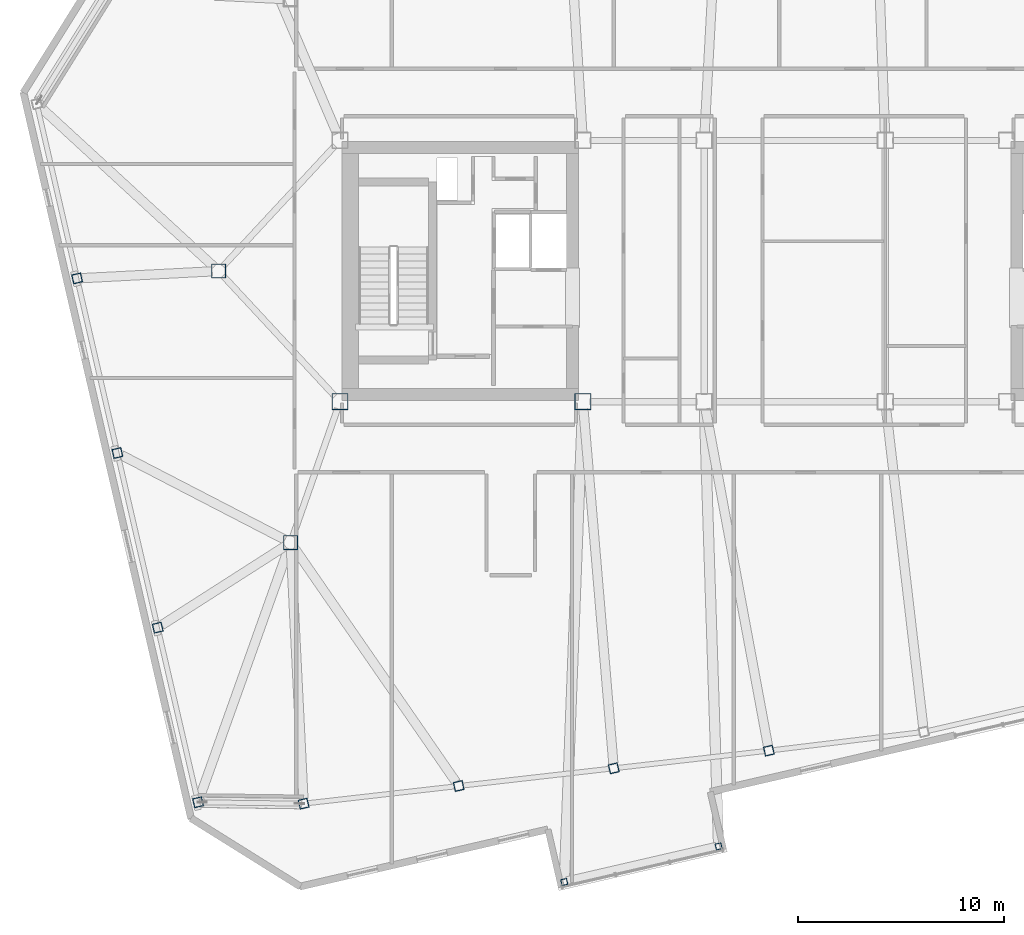
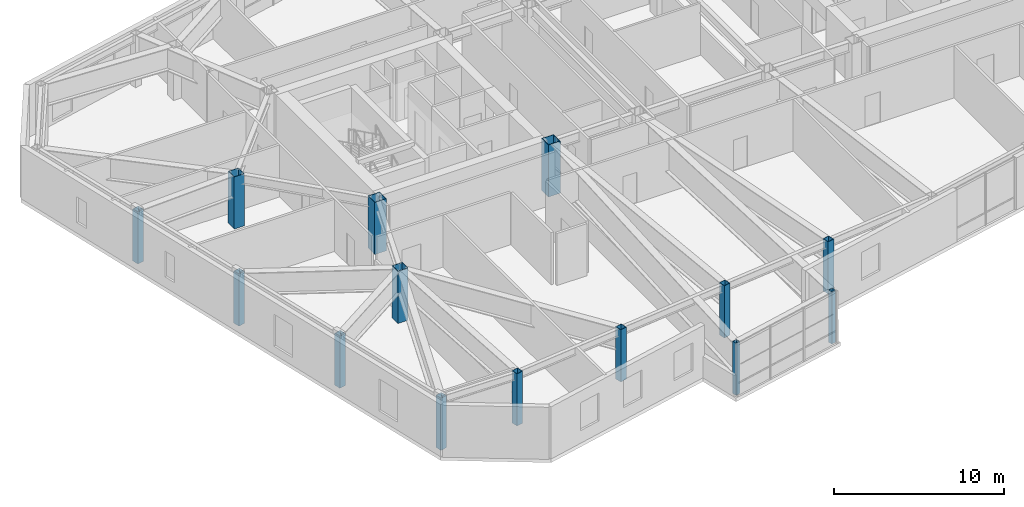
# One storey, part 1 of 23: 14 columns.
"""IFC4 building model written with IfcOpenShell, lengths in metres."""

from ifc_helpers import new_model, si_unit, direction, frame, origin, origin_2d, place, context, subcontext, project, spatial, hollow_rectangle, extrude, material, material_profile, profile_set, type_object, element, save


model = new_model("IFC4")

# Units and contexts
model_context = context("Model", 3, precision=1e-05, world=origin(), true_north=direction((0.0, 1.0)))
body_context = subcontext(model_context, "Body", "Model", "MODEL_VIEW")
ifc_project = project(units=[si_unit("LENGTHUNIT", "METRE"), si_unit("AREAUNIT", "SQUARE_METRE"), si_unit("VOLUMEUNIT", "CUBIC_METRE"), si_unit("PLANEANGLEUNIT", "RADIAN"), si_unit("MASSUNIT", "GRAM", prefix="KILO")], contexts=[model_context])

# Site, building, storey
site_placement = place(None, origin())
site = spatial("IfcSite", under=ifc_project, at=site_placement, CompositionType="ELEMENT")
building_placement = place(site_placement, origin())
building = spatial("IfcBuilding", under=site, at=building_placement, Name="Tavrogorsk Clinical Tower", CompositionType="ELEMENT")
storey_placement = place(building_placement, frame((0.0, 0.0, 277.0)))
storey = spatial("IfcBuildingStorey", under=building, at=storey_placement, Name="L64", CompositionType="ELEMENT", Elevation=277.0)

# Columns
ifc_material_1 = material(Name="Structural steel S390", Category="steel")
ifc_material_profile_1 = material_profile(ifc_material_1, hollow_rectangle(XDim=0.300048828125, YDim=0.300048828125, WallThickness=0.01611328125, at=origin_2d()), Name="SHS-300x300x16")
ifc_profile_set_1 = profile_set([ifc_material_profile_1], Name="Structural steel S390")
column_type_1 = type_object("IfcColumnType", Name="DayroomCol_SHS300", PredefinedType="COLUMN", material=ifc_profile_set_1)
for number, where, z_axis, x_axis, name in (
    (1, (-11.20068359375, -29.694580078125, 0.0), (0.0, 0.0, 1.0), (0.974370064785, 0.224951054344, 0.0), "L64 Day-Room Box Column DRB-09-L"),
    (2, (-3.697998046875, -27.962646484375, 0.0), (0.0, 0.0, 1.0), (0.974370064785, 0.224951054344, 0.0), "L64 Day-Room Box Column DRB-09-R"),
):
    element("IfcColumn", number, at=place(storey_placement, frame(where, z_axis=z_axis, x_axis=x_axis)), inside=storey, type_object=column_type_1, Name=name, PredefinedType="COLUMN", context=body_context, shape_type="SweptSolid", body=[
        extrude(hollow_rectangle(XDim=0.300048828125, YDim=0.300048828125, WallThickness=0.01611328125, at=origin_2d()), origin(), (0.0, 0.0, 1.0), 3.739990234375),
    ])
ifc_material_2 = material(Name="Structural steel S440", Category="steel")
ifc_material_profile_2 = material_profile(ifc_material_2, hollow_rectangle(XDim=0.699951171875, YDim=0.699951171875, WallThickness=0.031982421875, at=origin_2d()), Name="BOX-700x700x32")
ifc_profile_set_2 = profile_set([ifc_material_profile_2], Name="Structural steel S440")
column_type_2 = type_object("IfcColumnType", Name="MegaCol_BOX700", PredefinedType="COLUMN", material=ifc_profile_set_2)
for number, where, z_axis, x_axis, name in (
    (3, (-24.5, -13.199951171875, 0.0), (0.0, 0.0, 1.0), (1.0, 0.0, 0.0), "L64 Spine Pilotis Column MC-P1"),
    (4, (-28.0, 0.0, 0.0), (0.0, 0.0, 1.0), (1.0, 0.0, 0.0), "L64 Spine Pilotis Column MC-P5"),
):
    element("IfcColumn", number, at=place(storey_placement, frame(where, z_axis=z_axis, x_axis=x_axis)), inside=storey, type_object=column_type_2, Name=name, PredefinedType="COLUMN", context=body_context, shape_type="SweptSolid", body=[
        extrude(hollow_rectangle(XDim=0.699951171875, YDim=0.699951171875, WallThickness=0.031982421875, at=origin_2d()), origin(), (0.0, 0.0, 1.0), 3.739990234375),
    ])
ifc_material_3 = material(Name="Structural steel S440", Category="steel")
ifc_material_profile_3 = material_profile(ifc_material_3, hollow_rectangle(XDim=0.800048828125, YDim=0.800048828125, WallThickness=0.035888671875, at=origin_2d()), Name="BOX-800x800x36")
ifc_profile_set_3 = profile_set([ifc_material_profile_3], Name="Structural steel S440")
column_type_3 = type_object("IfcColumnType", Name="MegaCol_BOX800", PredefinedType="COLUMN", material=ifc_profile_set_3)
for number, where, z_axis, x_axis, name in (
    (5, (-22.10009765625, -6.35009765625, 0.0), (0.0, 0.0, 1.0), (1.0, 0.0, 0.0), "L64 Mega Column MC-W1"),
    (6, (-10.300048828125, -6.35009765625, 0.0), (0.0, 0.0, 1.0), (1.0, 0.0, 0.0), "L64 Mega Column MC-W3"),
):
    element("IfcColumn", number, at=place(storey_placement, frame(where, z_axis=z_axis, x_axis=x_axis)), inside=storey, type_object=column_type_3, Name=name, PredefinedType="COLUMN", context=body_context, shape_type="SweptSolid", body=[
        extrude(hollow_rectangle(XDim=0.800048828125, YDim=0.800048828125, WallThickness=0.035888671875, at=origin_2d()), origin(), (0.0, 0.0, 1.0), 3.739990234375),
    ])
ifc_material_4 = material(Name="Structural steel S440", Category="steel")
ifc_material_profile_4 = material_profile(ifc_material_4, hollow_rectangle(XDim=0.449951171875, YDim=0.449951171875, WallThickness=0.02197265625, at=origin_2d()), Name="BOX-450x450x22")
ifc_profile_set_4 = profile_set([ifc_material_profile_4], Name="Structural steel S440")
column_type_4 = type_object("IfcColumnType", Name="PerimCol_B5_BOX450", PredefinedType="COLUMN", material=ifc_profile_set_4)
for number, where, z_axis, x_axis, name in (
    (7, (-23.866943359375, -25.8857421875, 0.0), (0.0, 0.0, 1.0), (0.974370064785, 0.224951054344, 0.0), "L64 Perimeter Column S1"),
    (8, (-16.330322265625, -25.027099609375, 0.0), (0.0, 0.0, 1.0), (0.974370064785, 0.224951054344, 0.0), "L64 Perimeter Column S2"),
    (9, (-8.7939453125, -24.16845703125, 0.0), (0.0, 0.0, 1.0), (0.974370064785, 0.224951054344, 0.0), "L64 Perimeter Column S3"),
    (10, (-1.257568359375, -23.309814453125, 0.0), (0.0, 0.0, 1.0), (0.974370064785, 0.224951054344, 0.0), "L64 Perimeter Column S4"),
    (11, (-34.876708984375, -0.358642578125, 0.0), (0.0, 0.0, 1.0), (0.974370064785, 0.224951054344, 0.0), "L64 Perimeter Column W2"),
    (12, (-32.917236328125, -8.845458984375, 0.0), (0.0, 0.0, 1.0), (0.974370064785, 0.224951054344, 0.0), "L64 Perimeter Column W3"),
    (13, (-30.9580078125, -17.332275390625, 0.0), (0.0, 0.0, 1.0), (0.974370064785, 0.224951054344, 0.0), "L64 Perimeter Column W4"),
    (14, (-28.99853515625, -25.819091796875, 0.0), (0.0, 0.0, 1.0), (0.974370064785, 0.224951054344, 0.0), "L64 Perimeter Column W5"),
):
    element("IfcColumn", number, at=place(storey_placement, frame(where, z_axis=z_axis, x_axis=x_axis)), inside=storey, type_object=column_type_4, Name=name, PredefinedType="COLUMN", context=body_context, shape_type="SweptSolid", body=[
        extrude(hollow_rectangle(XDim=0.449951171875, YDim=0.449951171875, WallThickness=0.02197265625, at=origin_2d()), origin(), (0.0, 0.0, 1.0), 3.739990234375),
    ])

save(model, "model.ifc")
